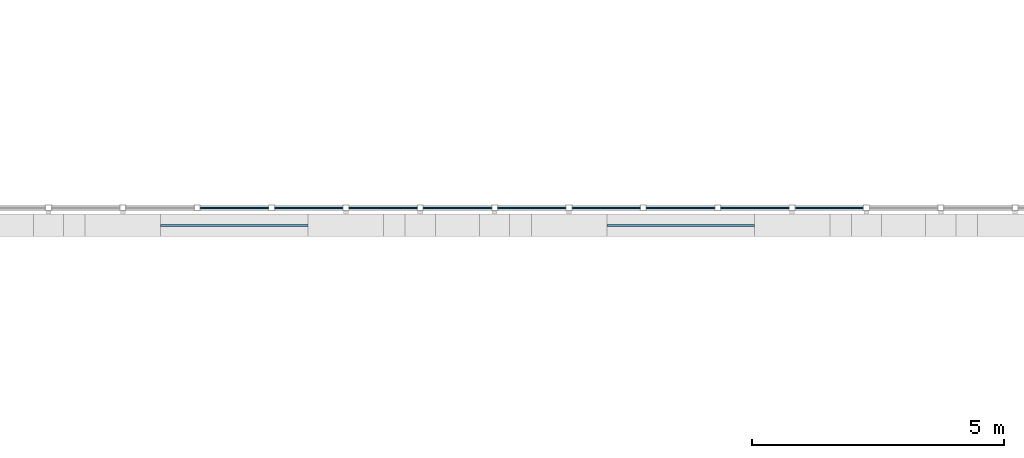
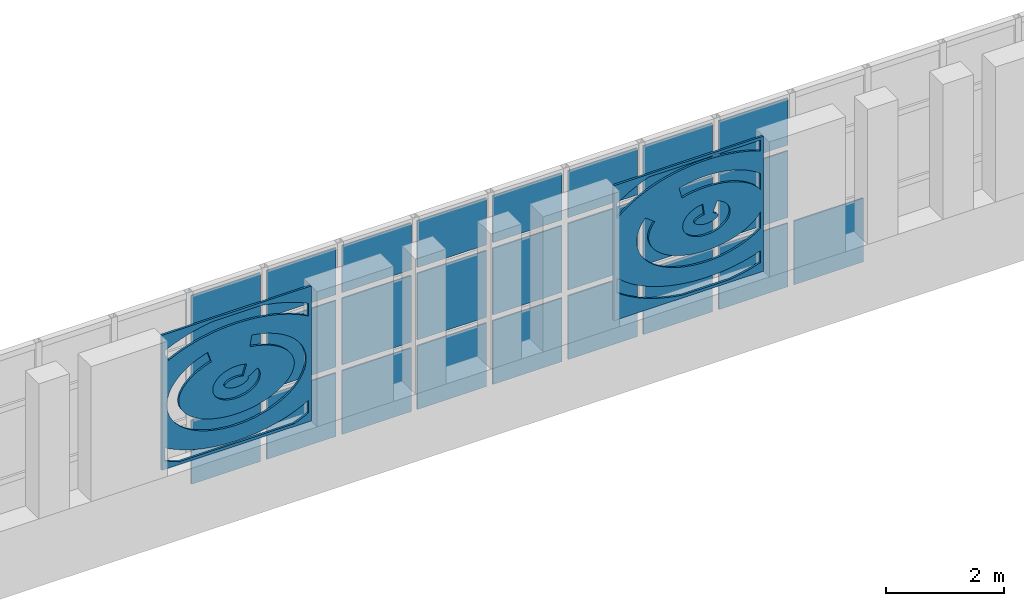
# One storey, part 88 of 154: 27 plates, 1 element without a shape of its own.
"""IFC4 building model written with IfcOpenShell, lengths in metres."""

import ifcopenshell
import ifcopenshell.guid

model = None  # the IFC model being written
_history = None  # IfcOwnerHistory: only IFC2X3 demands one
_inside = {}  # id of a spatial element -> (the spatial element, [elements in it])
_under = {}  # id of a project, library or spatial element -> (it, [spatial elements below it])
_declared = {}  # id of a project -> (the project, [libraries it declares])
_typed = {}  # id of a type object -> (the type object, [elements of that type])
_made_of = {}  # id of a material, layer set ... -> (it, [elements and type objects made of it])


def new_model(schema):
    """Start an empty IFC model of exactly this schema.

    Asked for "IFC4X3", IfcOpenShell would pick the latest addendum, in which some entities
    have other attributes; the version numbers below select the first issue.
    IFC2X3 requires an IfcOwnerHistory on every rooted entity: one is made here for all.
    """
    global model, _history
    if schema == "IFC4X3":
        model = ifcopenshell.file(schema_version=(4, 3, 0, 0))
    else:
        model = ifcopenshell.file(schema=schema)
    _inside.clear()
    _under.clear()
    _declared.clear()
    _typed.clear()
    _made_of.clear()
    _history = None
    if model.schema == "IFC2X3":
        org = make("IfcOrganization", Name="unknown")
        user = make(
            "IfcPersonAndOrganization",
            ThePerson=make("IfcPerson", FamilyName="unknown"),
            TheOrganization=org,
        )
        app = make(
            "IfcApplication",
            ApplicationDeveloper=org,
            Version="unknown",
            ApplicationFullName="unknown",
            ApplicationIdentifier="unknown",
        )
        _history = make(
            "IfcOwnerHistory",
            OwningUser=user,
            OwningApplication=app,
            ChangeAction="ADDED",
            CreationDate=0,
        )
    return model


def make(cls, **values):
    """One entity of the class cls with the attributes given. An attribute that is None is left unset."""
    return model.create_entity(
        cls, **{name: value for name, value in values.items() if value is not None}
    )


def rooted(cls, **values):
    """An entity with a GlobalId (a new one), such as an element, a storey or a relation."""
    return make(cls, GlobalId=ifcopenshell.guid.new(), OwnerHistory=_history, **values)


def si_unit(unit_type, name, prefix=None):
    """IfcSIUnit, for example si_unit("LENGTHUNIT", "METRE", prefix="MILLI")."""
    return make("IfcSIUnit", UnitType=unit_type, Prefix=prefix, Name=name)


def assignment(units):
    """IfcUnitAssignment: the units of a project."""
    return None if units is None else make("IfcUnitAssignment", Units=units)


def point(xyz):
    """IfcCartesianPoint."""
    return None if xyz is None else make("IfcCartesianPoint", Coordinates=xyz)


def direction(xyz):
    """IfcDirection."""
    return None if xyz is None else make("IfcDirection", DirectionRatios=xyz)


def frame(location, z_axis=None, x_axis=None):
    """IfcAxis2Placement3D, a coordinate frame: its origin and axes. An axis left out is left unset."""
    return make(
        "IfcAxis2Placement3D",
        Location=point(location),
        Axis=direction(z_axis),
        RefDirection=direction(x_axis),
    )


def frame_2d(location, x_axis=None):
    """IfcAxis2Placement2D, a coordinate frame in the plane: its origin and x axis."""
    return make(
        "IfcAxis2Placement2D", Location=point(location), RefDirection=direction(x_axis)
    )


def origin():
    """The frame at (0, 0, 0) with its axes left unset."""
    return frame((0.0, 0.0, 0.0))


def origin_2d():
    """The frame at (0, 0) in the plane with its x axis left unset."""
    return frame_2d((0.0, 0.0))


def place(relative_to, where):
    """IfcLocalPlacement: puts the frame where relative to a parent placement (None: the world)."""
    return make(
        "IfcLocalPlacement", PlacementRelTo=relative_to, RelativePlacement=where
    )


def context(
    kind, dimensions, precision=None, world=None, true_north=None, identifier=None
):
    """IfcGeometricRepresentationContext, for example the 3D "Model" context."""
    return make(
        "IfcGeometricRepresentationContext",
        ContextIdentifier=identifier,
        ContextType=kind,
        CoordinateSpaceDimension=dimensions,
        Precision=precision,
        WorldCoordinateSystem=world,
        TrueNorth=true_north,
    )


def subcontext(parent, identifier, kind, view, scale=None):
    """IfcGeometricRepresentationSubContext, for example "Body" below "Model"."""
    return make(
        "IfcGeometricRepresentationSubContext",
        ContextIdentifier=identifier,
        ContextType=kind,
        ParentContext=parent,
        TargetScale=scale,
        TargetView=view,
    )


def project(units=None, contexts=None):
    """IfcProject with its units and contexts."""
    return rooted(
        "IfcProject",
        Name="project",
        RepresentationContexts=contexts,
        UnitsInContext=assignment(units),
    )


def spatial(cls, under=None, at=None, **own):
    """A site, building, storey or space (cls), placed at a placement, below another one or the project."""
    s = rooted(cls, ObjectPlacement=at, **own)
    if under is not None:
        _under.setdefault(under.id(), (under, []))[1].append(s)
    return s


def polyline(points):
    """IfcPolyline through the points."""
    return make("IfcPolyline", Points=[point(p) for p in points])


def profile(cls, at=None, kind="AREA", **sizes):
    """A parametric profile (cls). Its sizes go by their IFC names, for example OverallWidth=200.0."""
    return make(cls, ProfileType=kind, Position=at, **sizes)


def rectangle(**sizes):
    """IfcRectangleProfileDef."""
    return profile("IfcRectangleProfileDef", **sizes)


def outline(outer, holes=None, kind="AREA"):
    """IfcArbitraryClosedProfileDef: a profile drawn as a closed curve; with holes, ...WithVoids."""
    if holes is None:
        return make("IfcArbitraryClosedProfileDef", ProfileType=kind, OuterCurve=outer)
    return make(
        "IfcArbitraryProfileDefWithVoids",
        ProfileType=kind,
        OuterCurve=outer,
        InnerCurves=holes,
    )


def extrude(swept, where, along, depth):
    """IfcExtrudedAreaSolid: the profile swept, set in the frame where, extruded along a direction by depth."""
    return make(
        "IfcExtrudedAreaSolid",
        SweptArea=swept,
        Position=where,
        ExtrudedDirection=direction(along),
        Depth=depth,
    )


def shape(context_of_items, identifier, shape_type, items):
    """IfcShapeRepresentation: the items that make up one representation, for example the "Body"."""
    return make(
        "IfcShapeRepresentation",
        ContextOfItems=context_of_items,
        RepresentationIdentifier=identifier,
        RepresentationType=shape_type,
        Items=items,
    )


def material(Name=None, Category=None):
    """IfcMaterial."""
    return make("IfcMaterial", Name=Name, Category=Category)


def layer(
    of_material, thickness, ventilated=None, Name=None, Category=None, Priority=None
):
    """IfcMaterialLayer: one layer of a wall or slab, of a material (None: an air gap)."""
    return make(
        "IfcMaterialLayer",
        Material=of_material,
        LayerThickness=thickness,
        IsVentilated=ventilated,
        Name=Name,
        Category=Category,
        Priority=Priority,
    )


def layer_set(layers, Name=None):
    """IfcMaterialLayerSet."""
    return make("IfcMaterialLayerSet", MaterialLayers=layers, LayerSetName=Name)


def made_of(thing, what):
    """Note that an element or type object is made of a material, layer set ...; save() writes the relation."""
    if what is not None:
        _made_of.setdefault(what.id(), (what, []))[1].append(thing)
    return thing


def type_object(cls, material=None, **own):
    """A type object (cls), such as IfcWallType, which elements share."""
    return made_of(rooted(cls, **own), material)


def element(
    cls,
    number,
    at=None,
    inside=None,
    cuts=None,
    type_object=None,
    material=None,
    context=None,
    identifier="Body",
    shape_type=None,
    held_by="IfcProductDefinitionShape",
    body=None,
    shapes=None,
    **own,
):
    """One element of the class cls, such as IfcWall. Its Tag is "e" and its number.

    at: its placement. inside: the storey or other place that contains it. cuts: it is an
    opening in that element (IfcRelVoidsElement). A single representation is given by context,
    identifier, shape_type and body (its items); several are given by shapes. held_by: the class
    of the entity that holds the representations. save() writes the other relations.
    """
    e = rooted(cls, Tag="e%d" % number, ObjectPlacement=at, **own)
    if body is not None:
        shapes = [shape(context, identifier, shape_type, body)]
    if shapes is not None:
        e.Representation = make(held_by, Representations=shapes)
    if inside is not None:
        _inside.setdefault(inside.id(), (inside, []))[1].append(e)
    if cuts is not None:
        rooted(
            "IfcRelVoidsElement", RelatingBuildingElement=cuts, RelatedOpeningElement=e
        )
    if type_object is not None:
        _typed.setdefault(type_object.id(), (type_object, []))[1].append(e)
    return made_of(e, material)


def aggregate(whole, parts):
    """IfcRelAggregates: a whole, such as a stair, and the parts it consists of."""
    return rooted("IfcRelAggregates", RelatingObject=whole, RelatedObjects=parts)


def save(model, path):
    """Write the relations noted so far, then the file.

    IfcRelAggregates (storeys below a building ...), IfcRelContainedInSpatialStructure (elements
    in a storey), IfcRelDefinesByType, IfcRelAssociatesMaterial and IfcRelDeclares: one each for
    every whole, place, type object, material and project.
    """
    for whole, parts in _under.values():
        aggregate(whole, parts)
    for where, things in _inside.values():
        rooted(
            "IfcRelContainedInSpatialStructure",
            RelatedElements=things,
            RelatingStructure=where,
        )
    for kind, things in _typed.values():
        rooted("IfcRelDefinesByType", RelatedObjects=things, RelatingType=kind)
    for what, things in _made_of.values():
        rooted("IfcRelAssociatesMaterial", RelatedObjects=things, RelatingMaterial=what)
    for by, libraries in _declared.values():
        rooted("IfcRelDeclares", RelatingContext=by, RelatedDefinitions=libraries)
    model.write(path)


model = new_model("IFC4")

# Units and contexts
model_context = context("Model", 3, precision=1e-05, world=origin(), true_north=direction((0.0, 1.0)))
body_context = subcontext(model_context, "Body", "Model", "MODEL_VIEW")
ifc_project = project(units=[si_unit("LENGTHUNIT", "METRE"), si_unit("AREAUNIT", "SQUARE_METRE"), si_unit("VOLUMEUNIT", "CUBIC_METRE"), si_unit("PLANEANGLEUNIT", "RADIAN"), si_unit("MASSUNIT", "GRAM", prefix="KILO")], contexts=[model_context])

# Site, building, storey
site_placement = place(None, origin())
site = spatial("IfcSite", under=ifc_project, at=site_placement, CompositionType="ELEMENT")
building_placement = place(site_placement, origin())
building = spatial("IfcBuilding", under=site, at=building_placement, Name="Golden Quay Civic Hall", CompositionType="ELEMENT")
storey_placement = place(building_placement, frame((0.0, 0.0, 14.39990234375)))
storey = spatial("IfcBuildingStorey", under=building, at=storey_placement, Name="L03", CompositionType="ELEMENT", Elevation=14.39990234375)

# Curtain wall, plates
ifc_material_1 = material(Name="Glass and aluminium", Category="aluminium")
curtain_wall_type = type_object("IfcCurtainWallType", Name="Glazed curtain wall 1500 module", PredefinedType="NOTDEFINED", material=ifc_material_1)
curtain_wall_placement = place(storey_placement, origin())
curtain_wall = element("IfcCurtainWall", 1, at=curtain_wall_placement, inside=storey, type_object=curtain_wall_type, Name="CW1 curtain wall", PredefinedType="NOTDEFINED")
ifc_material_2 = material(Name="Laminated glass", Category="glass")
ifc_layer_1 = layer(ifc_material_2, 0.028076171875)
ifc_layer_set_1 = layer_set([ifc_layer_1], Name="Laminated glass panel 28")
plate_type_1 = type_object("IfcPlateType", Name="Laminated glass panel 28", PredefinedType="CURTAIN_PANEL", material=ifc_layer_set_1)
plate_1_placement = place(storey_placement, frame((78.85009765625, 0.27001953125, -0.080078125), z_axis=(0.0, 0.0, 1.0), x_axis=(1.0, 0.0, 0.0)))
plate_1 = element("IfcPlate", 2, at=plate_1_placement, type_object=plate_type_1, Name="CW1 panel 5.1", PredefinedType="CURTAIN_PANEL", context=body_context, shape_type="SweptSolid", body=[
    extrude(rectangle(XDim=1.357666015625, YDim=0.028076171875, at=origin_2d()), origin(), (0.0, 0.0, 1.0), 1.320068359375),
])
plate_2_placement = place(storey_placement, frame((78.85009765625, 0.27001953125, 1.360107421875), z_axis=(0.0, 0.0, 1.0), x_axis=(1.0, 0.0, 0.0)))
plate_2 = element("IfcPlate", 3, at=plate_2_placement, type_object=plate_type_1, Name="CW1 panel 5.2", PredefinedType="CURTAIN_PANEL", context=body_context, shape_type="SweptSolid", body=[
    extrude(rectangle(XDim=1.357666015625, YDim=0.028076171875, at=origin_2d()), origin(), (0.0, 0.0, 1.0), 1.3798828125),
])
plate_3_placement = place(storey_placement, frame((78.85009765625, 0.27001953125, 2.8603515625), z_axis=(0.0, 0.0, 1.0), x_axis=(1.0, 0.0, 0.0)))
plate_3 = element("IfcPlate", 4, at=plate_3_placement, type_object=plate_type_1, Name="CW1 panel 5.3", PredefinedType="CURTAIN_PANEL", context=body_context, shape_type="SweptSolid", body=[
    extrude(rectangle(XDim=1.357666015625, YDim=0.028076171875, at=origin_2d()), origin(), (0.0, 0.0, 1.0), 0.969970703125),
])
plate_4_placement = place(storey_placement, frame((80.327880859375, 0.27001953125, -0.080078125), z_axis=(0.0, 0.0, 1.0), x_axis=(1.0, 0.0, 0.0)))
plate_4 = element("IfcPlate", 5, at=plate_4_placement, type_object=plate_type_1, Name="CW1 panel 6.1", PredefinedType="CURTAIN_PANEL", context=body_context, shape_type="SweptSolid", body=[
    extrude(rectangle(XDim=1.357666015625, YDim=0.028076171875, at=origin_2d()), origin(), (0.0, 0.0, 1.0), 1.320068359375),
])
plate_5_placement = place(storey_placement, frame((80.327880859375, 0.27001953125, 1.360107421875), z_axis=(0.0, 0.0, 1.0), x_axis=(1.0, 0.0, 0.0)))
plate_5 = element("IfcPlate", 6, at=plate_5_placement, type_object=plate_type_1, Name="CW1 panel 6.2", PredefinedType="CURTAIN_PANEL", context=body_context, shape_type="SweptSolid", body=[
    extrude(rectangle(XDim=1.357666015625, YDim=0.028076171875, at=origin_2d()), origin(), (0.0, 0.0, 1.0), 1.3798828125),
])
plate_6_placement = place(storey_placement, frame((80.327880859375, 0.27001953125, 2.8603515625), z_axis=(0.0, 0.0, 1.0), x_axis=(1.0, 0.0, 0.0)))
plate_6 = element("IfcPlate", 7, at=plate_6_placement, type_object=plate_type_1, Name="CW1 panel 6.3", PredefinedType="CURTAIN_PANEL", context=body_context, shape_type="SweptSolid", body=[
    extrude(rectangle(XDim=1.357666015625, YDim=0.028076171875, at=origin_2d()), origin(), (0.0, 0.0, 1.0), 0.969970703125),
])
plate_7_placement = place(storey_placement, frame((81.8056640625, 0.27001953125, -0.080078125), z_axis=(0.0, 0.0, 1.0), x_axis=(1.0, 0.0, 0.0)))
plate_7 = element("IfcPlate", 8, at=plate_7_placement, type_object=plate_type_1, Name="CW1 panel 7.1", PredefinedType="CURTAIN_PANEL", context=body_context, shape_type="SweptSolid", body=[
    extrude(rectangle(XDim=1.357666015625, YDim=0.028076171875, at=origin_2d()), origin(), (0.0, 0.0, 1.0), 1.320068359375),
])
plate_8_placement = place(storey_placement, frame((81.8056640625, 0.27001953125, 1.360107421875), z_axis=(0.0, 0.0, 1.0), x_axis=(1.0, 0.0, 0.0)))
plate_8 = element("IfcPlate", 9, at=plate_8_placement, type_object=plate_type_1, Name="CW1 panel 7.2", PredefinedType="CURTAIN_PANEL", context=body_context, shape_type="SweptSolid", body=[
    extrude(rectangle(XDim=1.357666015625, YDim=0.028076171875, at=origin_2d()), origin(), (0.0, 0.0, 1.0), 1.3798828125),
])
plate_9_placement = place(storey_placement, frame((81.8056640625, 0.27001953125, 2.8603515625), z_axis=(0.0, 0.0, 1.0), x_axis=(1.0, 0.0, 0.0)))
plate_9 = element("IfcPlate", 10, at=plate_9_placement, type_object=plate_type_1, Name="CW1 panel 7.3", PredefinedType="CURTAIN_PANEL", context=body_context, shape_type="SweptSolid", body=[
    extrude(rectangle(XDim=1.357666015625, YDim=0.028076171875, at=origin_2d()), origin(), (0.0, 0.0, 1.0), 0.969970703125),
])
plate_10_placement = place(storey_placement, frame((83.283447265625, 0.27001953125, -0.080078125), z_axis=(0.0, 0.0, 1.0), x_axis=(1.0, 0.0, 0.0)))
plate_10 = element("IfcPlate", 11, at=plate_10_placement, type_object=plate_type_1, Name="CW1 panel 8.1", PredefinedType="CURTAIN_PANEL", context=body_context, shape_type="SweptSolid", body=[
    extrude(rectangle(XDim=1.357666015625, YDim=0.028076171875, at=origin_2d()), origin(), (0.0, 0.0, 1.0), 1.320068359375),
])
plate_11_placement = place(storey_placement, frame((83.283447265625, 0.27001953125, 1.360107421875), z_axis=(0.0, 0.0, 1.0), x_axis=(1.0, 0.0, 0.0)))
plate_11 = element("IfcPlate", 12, at=plate_11_placement, type_object=plate_type_1, Name="CW1 panel 8.2", PredefinedType="CURTAIN_PANEL", context=body_context, shape_type="SweptSolid", body=[
    extrude(rectangle(XDim=1.357666015625, YDim=0.028076171875, at=origin_2d()), origin(), (0.0, 0.0, 1.0), 1.3798828125),
])
plate_12_placement = place(storey_placement, frame((83.283447265625, 0.27001953125, 2.8603515625), z_axis=(0.0, 0.0, 1.0), x_axis=(1.0, 0.0, 0.0)))
plate_12 = element("IfcPlate", 13, at=plate_12_placement, type_object=plate_type_1, Name="CW1 panel 8.3", PredefinedType="CURTAIN_PANEL", context=body_context, shape_type="SweptSolid", body=[
    extrude(rectangle(XDim=1.357666015625, YDim=0.028076171875, at=origin_2d()), origin(), (0.0, 0.0, 1.0), 0.969970703125),
])
plate_13_placement = place(storey_placement, frame((84.76123046875, 0.27001953125, -0.080078125), z_axis=(0.0, 0.0, 1.0), x_axis=(1.0, 0.0, 0.0)))
plate_13 = element("IfcPlate", 14, at=plate_13_placement, type_object=plate_type_1, Name="CW1 panel 9.1", PredefinedType="CURTAIN_PANEL", context=body_context, shape_type="SweptSolid", body=[
    extrude(rectangle(XDim=1.357666015625, YDim=0.028076171875, at=origin_2d()), origin(), (0.0, 0.0, 1.0), 1.320068359375),
])
plate_14_placement = place(storey_placement, frame((84.76123046875, 0.27001953125, 1.360107421875), z_axis=(0.0, 0.0, 1.0), x_axis=(1.0, 0.0, 0.0)))
plate_14 = element("IfcPlate", 15, at=plate_14_placement, type_object=plate_type_1, Name="CW1 panel 9.2", PredefinedType="CURTAIN_PANEL", context=body_context, shape_type="SweptSolid", body=[
    extrude(rectangle(XDim=1.357666015625, YDim=0.028076171875, at=origin_2d()), origin(), (0.0, 0.0, 1.0), 1.3798828125),
])
plate_15_placement = place(storey_placement, frame((84.76123046875, 0.27001953125, 2.8603515625), z_axis=(0.0, 0.0, 1.0), x_axis=(1.0, 0.0, 0.0)))
plate_15 = element("IfcPlate", 16, at=plate_15_placement, type_object=plate_type_1, Name="CW1 panel 9.3", PredefinedType="CURTAIN_PANEL", context=body_context, shape_type="SweptSolid", body=[
    extrude(rectangle(XDim=1.357666015625, YDim=0.028076171875, at=origin_2d()), origin(), (0.0, 0.0, 1.0), 0.969970703125),
])
plate_16_placement = place(storey_placement, frame((86.23876953125, 0.27001953125, -0.080078125), z_axis=(0.0, 0.0, 1.0), x_axis=(1.0, 0.0, 0.0)))
plate_16 = element("IfcPlate", 17, at=plate_16_placement, type_object=plate_type_1, Name="CW1 panel 10.1", PredefinedType="CURTAIN_PANEL", context=body_context, shape_type="SweptSolid", body=[
    extrude(rectangle(XDim=1.357666015625, YDim=0.028076171875, at=origin_2d()), origin(), (0.0, 0.0, 1.0), 1.320068359375),
])
plate_17_placement = place(storey_placement, frame((86.23876953125, 0.27001953125, 1.360107421875), z_axis=(0.0, 0.0, 1.0), x_axis=(1.0, 0.0, 0.0)))
plate_17 = element("IfcPlate", 18, at=plate_17_placement, type_object=plate_type_1, Name="CW1 panel 10.2", PredefinedType="CURTAIN_PANEL", context=body_context, shape_type="SweptSolid", body=[
    extrude(rectangle(XDim=1.357666015625, YDim=0.028076171875, at=origin_2d()), origin(), (0.0, 0.0, 1.0), 1.3798828125),
])
plate_18_placement = place(storey_placement, frame((86.23876953125, 0.27001953125, 2.8603515625), z_axis=(0.0, 0.0, 1.0), x_axis=(1.0, 0.0, 0.0)))
plate_18 = element("IfcPlate", 19, at=plate_18_placement, type_object=plate_type_1, Name="CW1 panel 10.3", PredefinedType="CURTAIN_PANEL", context=body_context, shape_type="SweptSolid", body=[
    extrude(rectangle(XDim=1.357666015625, YDim=0.028076171875, at=origin_2d()), origin(), (0.0, 0.0, 1.0), 0.969970703125),
])
plate_19_placement = place(storey_placement, frame((87.716552734375, 0.27001953125, -0.080078125), z_axis=(0.0, 0.0, 1.0), x_axis=(1.0, 0.0, 0.0)))
plate_19 = element("IfcPlate", 20, at=plate_19_placement, type_object=plate_type_1, Name="CW1 panel 11.1", PredefinedType="CURTAIN_PANEL", context=body_context, shape_type="SweptSolid", body=[
    extrude(rectangle(XDim=1.357666015625, YDim=0.028076171875, at=origin_2d()), origin(), (0.0, 0.0, 1.0), 1.320068359375),
])
plate_20_placement = place(storey_placement, frame((87.716552734375, 0.27001953125, 1.360107421875), z_axis=(0.0, 0.0, 1.0), x_axis=(1.0, 0.0, 0.0)))
plate_20 = element("IfcPlate", 21, at=plate_20_placement, type_object=plate_type_1, Name="CW1 panel 11.2", PredefinedType="CURTAIN_PANEL", context=body_context, shape_type="SweptSolid", body=[
    extrude(rectangle(XDim=1.357666015625, YDim=0.028076171875, at=origin_2d()), origin(), (0.0, 0.0, 1.0), 1.3798828125),
])
plate_21_placement = place(storey_placement, frame((87.716552734375, 0.27001953125, 2.8603515625), z_axis=(0.0, 0.0, 1.0), x_axis=(1.0, 0.0, 0.0)))
plate_21 = element("IfcPlate", 22, at=plate_21_placement, type_object=plate_type_1, Name="CW1 panel 11.3", PredefinedType="CURTAIN_PANEL", context=body_context, shape_type="SweptSolid", body=[
    extrude(rectangle(XDim=1.357666015625, YDim=0.028076171875, at=origin_2d()), origin(), (0.0, 0.0, 1.0), 0.969970703125),
])
plate_22_placement = place(storey_placement, frame((89.1943359375, 0.27001953125, -0.080078125), z_axis=(0.0, 0.0, 1.0), x_axis=(1.0, 0.0, 0.0)))
plate_22 = element("IfcPlate", 23, at=plate_22_placement, type_object=plate_type_1, Name="CW1 panel 12.1", PredefinedType="CURTAIN_PANEL", context=body_context, shape_type="SweptSolid", body=[
    extrude(rectangle(XDim=1.357666015625, YDim=0.028076171875, at=origin_2d()), origin(), (0.0, 0.0, 1.0), 1.320068359375),
])
plate_23_placement = place(storey_placement, frame((89.1943359375, 0.27001953125, 1.360107421875), z_axis=(0.0, 0.0, 1.0), x_axis=(1.0, 0.0, 0.0)))
plate_23 = element("IfcPlate", 24, at=plate_23_placement, type_object=plate_type_1, Name="CW1 panel 12.2", PredefinedType="CURTAIN_PANEL", context=body_context, shape_type="SweptSolid", body=[
    extrude(rectangle(XDim=1.357666015625, YDim=0.028076171875, at=origin_2d()), origin(), (0.0, 0.0, 1.0), 1.3798828125),
])
plate_24_placement = place(storey_placement, frame((89.1943359375, 0.27001953125, 2.8603515625), z_axis=(0.0, 0.0, 1.0), x_axis=(1.0, 0.0, 0.0)))
plate_24 = element("IfcPlate", 25, at=plate_24_placement, type_object=plate_type_1, Name="CW1 panel 12.3", PredefinedType="CURTAIN_PANEL", context=body_context, shape_type="SweptSolid", body=[
    extrude(rectangle(XDim=1.357666015625, YDim=0.028076171875, at=origin_2d()), origin(), (0.0, 0.0, 1.0), 0.969970703125),
])
plate_25_placement = place(storey_placement, frame((90.672119140625, 0.27001953125, -0.080078125), z_axis=(0.0, 0.0, 1.0), x_axis=(1.0, 0.0, 0.0)))
plate_25 = element("IfcPlate", 26, at=plate_25_placement, type_object=plate_type_1, Name="CW1 panel 13.1", PredefinedType="CURTAIN_PANEL", context=body_context, shape_type="SweptSolid", body=[
    extrude(rectangle(XDim=1.357666015625, YDim=0.028076171875, at=origin_2d()), origin(), (0.0, 0.0, 1.0), 1.320068359375),
])
aggregate(curtain_wall, [plate_1, plate_2, plate_3, plate_4, plate_5, plate_6, plate_7, plate_8, plate_9, plate_10, plate_11, plate_12, plate_13, plate_14, plate_15, plate_16, plate_17, plate_18, plate_19, plate_20, plate_21, plate_22, plate_23, plate_24, plate_25])

# Plates
ifc_material_3 = material(Name="Aluminium, golden anodised, perforated", Category="aluminium")
ifc_layer_2 = layer(ifc_material_3, 0.0400390625)
ifc_layer_set_2 = layer_set([ifc_layer_2], Name="Perforated panel 2933 x 2800 x 40")
plate_type_2 = type_object("IfcPlateType", Name="Perforated panel 2933 x 2800 x 40", PredefinedType="SHEET", material=ifc_layer_set_2)
plate_26_placement = place(storey_placement, frame((87.716552734375, -0.06005859375, 2.10009765625), z_axis=(0.0, -1.0, 0.0), x_axis=(1.0, 0.0, 0.0)))
element("IfcPlate", 27, at=plate_26_placement, inside=storey, type_object=plate_type_2, Name="Hall screen panel south L03 4", PredefinedType="SHEET", context=body_context, shape_type="SweptSolid", body=[
    extrude(outline(polyline([(-1.466552734375, -1.39990234375), (1.466552734375, -1.39990234375), (1.466552734375, 1.39990234375), (-1.466552734375, 1.39990234375), (-1.466552734375, -1.39990234375)]), holes=[polyline([(0.257080078125, 0.170654296875), (0.192626953125, 0.149658203125), (0.15966796875, 0.1318359375), (0.136474609375, 0.113525390625), (0.123291015625, 0.09765625), (0.11669921875, 0.080322265625), (0.122314453125, 0.0634765625), (0.135009765625, 0.048095703125), (0.172119140625, 0.020751953125), (0.208740234375, 0.003662109375), (0.27685546875, -0.014404296875), (0.32763671875, -0.02001953125), (0.37939453125, -0.01953125), (0.45361328125, -0.008056640625), (0.496826171875, 0.005859375), (0.54638671875, 0.032470703125), (0.5673828125, 0.05029296875), (0.57861328125, 0.065185546875), (0.583251953125, 0.078125), (0.57958984375, 0.093017578125), (0.560791015625, 0.115966796875), (0.536376953125, 0.134521484375), (0.47802734375, 0.1611328125), (0.561279296875, 0.37841796875), (0.631103515625, 0.34814453125), (0.685546875, 0.314208984375), (0.739501953125, 0.266357421875), (0.7705078125, 0.22705078125), (0.7978515625, 0.1748046875), (0.8125, 0.122802734375), (0.815673828125, 0.064697265625), (0.806396484375, 0.0107421875), (0.7939453125, -0.02392578125), (0.777099609375, -0.056396484375), (0.756591796875, -0.086181640625), (0.73291015625, -0.11328125), (0.70654296875, -0.1376953125), (0.655029296875, -0.174560546875), (0.579833984375, -0.21142578125), (0.544189453125, -0.22412109375), (0.476318359375, -0.2412109375), (0.3916015625, -0.251953125), (0.3193359375, -0.252685546875), (0.273193359375, -0.248779296875), (0.203125, -0.237060546875), (0.165771484375, -0.227294921875), (0.09521484375, -0.200927734375), (0.030517578125, -0.165283203125), (-0.02587890625, -0.1201171875), (-0.05859375, -0.08349609375), (-0.08984375, -0.033203125), (-0.108154296875, 0.01708984375), (-0.1162109375, 0.07470703125), (-0.111083984375, 0.129638671875), (-0.093505859375, 0.185302734375), (-0.068115234375, 0.23046875), (-0.02978515625, 0.276611328125), (0.02783203125, 0.323486328125), (0.068115234375, 0.34765625), (0.136474609375, 0.377685546875), (0.202880859375, 0.39697265625), (0.280517578125, 0.40966796875), (0.31005859375, 0.178955078125), (0.257080078125, 0.170654296875)]), polyline([(-0.728271484375, 0.27880859375), (-0.75048828125, 0.23388671875), (-0.76708984375, 0.18896484375), (-0.77783203125, 0.14404296875), (-0.782958984375, 0.099365234375), (-0.78271484375, 0.0546875), (-0.776611328125, 0.010009765625), (-0.765380859375, -0.034912109375), (-0.748046875, -0.079833984375), (-0.724853515625, -0.124755859375), (-0.69580078125, -0.169677734375), (-0.66015625, -0.2138671875), (-0.61865234375, -0.257080078125), (-0.571044921875, -0.299072265625), (-0.517578125, -0.33935546875), (-0.458740234375, -0.37744140625), (-0.394775390625, -0.4130859375), (-0.325927734375, -0.44580078125), (-0.252685546875, -0.475341796875), (-0.175537109375, -0.501708984375), (-0.09521484375, -0.5244140625), (-0.01171875, -0.543212890625), (0.073974609375, -0.558349609375), (0.16162109375, -0.569091796875), (0.25, -0.575927734375), (0.33935546875, -0.57861328125), (0.4287109375, -0.576904296875), (0.517578125, -0.5712890625), (0.60546875, -0.561279296875), (0.691650390625, -0.547119140625), (0.775634765625, -0.529296875), (0.856689453125, -0.50732421875), (0.934814453125, -0.48193359375), (1.009033203125, -0.453125), (1.078857421875, -0.4208984375), (1.144287109375, -0.385986328125), (1.204345703125, -0.348388671875), (1.259033203125, -0.308837890625), (1.30810546875, -0.26708984375), (1.35107421875, -0.22412109375), (1.406494140625, -0.15283203125), (1.406494140625, -0.48876953125), (1.337890625, -0.539306640625), (1.26416015625, -0.58544921875), (1.185546875, -0.627685546875), (1.0966796875, -0.668701171875), (1.010009765625, -0.7021484375), (0.920166015625, -0.731201171875), (0.8330078125, -0.754638671875), (0.73193359375, -0.7763671875), (0.634521484375, -0.7919921875), (0.53564453125, -0.80322265625), (0.435791015625, -0.8095703125), (0.3408203125, -0.811279296875), (0.240478515625, -0.80859375), (0.135498046875, -0.80029296875), (0.042236328125, -0.788818359375), (-0.0546875, -0.77197265625), (-0.1494140625, -0.750732421875), (-0.24169921875, -0.724853515625), (-0.330810546875, -0.694580078125), (-0.422607421875, -0.657470703125), (-0.498046875, -0.62158203125), (-0.5751953125, -0.5791015625), (-0.654541015625, -0.527587890625), (-0.7216796875, -0.4765625), (-0.7763671875, -0.428466796875), (-0.831787109375, -0.37109375), (-0.880859375, -0.310546875), (-0.92919921875, -0.236572265625), (-0.963134765625, -0.168701171875), (-0.985107421875, -0.111572265625), (-1.00390625, -0.040771484375), (-1.01416015625, 0.03173828125), (-1.015625, 0.104736328125), (-1.00830078125, 0.177490234375), (-0.991943359375, 0.24951171875), (-0.9619140625, 0.33154296875), (-0.927978515625, 0.3984375), (-0.88671875, 0.46240234375), (-0.845458984375, 0.515380859375), (-0.662109375, 0.372314453125), (-0.69970703125, 0.32373046875), (-0.728271484375, 0.27880859375)]), polyline([(1.373779296875, 0.357666015625), (1.334716796875, 0.4013671875), (1.289306640625, 0.44384765625), (1.238037109375, 0.48486328125), (1.18115234375, 0.523681640625), (1.118896484375, 0.560302734375), (1.0517578125, 0.593994140625), (0.97998046875, 0.625), (0.904296875, 0.652587890625), (0.824951171875, 0.676513671875), (0.742431640625, 0.69677734375), (0.65771484375, 0.713134765625), (0.57080078125, 0.7255859375), (0.482421875, 0.73388671875), (0.393310546875, 0.738037109375), (0.303955078125, 0.738037109375), (0.21484375, 0.73388671875), (0.12646484375, 0.725341796875), (0.039794921875, 0.712890625), (-0.045166015625, 0.6962890625), (-0.13037109375, 0.675048828125), (-0.1865234375, 0.90087890625), (-0.092529296875, 0.924072265625), (-0.002197265625, 0.941650390625), (0.1015625, 0.956787109375), (0.200927734375, 0.966064453125), (0.29541015625, 0.970703125), (0.4013671875, 0.970703125), (0.49609375, 0.96630859375), (0.595458984375, 0.95703125), (0.698974609375, 0.9423828125), (0.78955078125, 0.9248046875), (0.883544921875, 0.901611328125), (0.980712890625, 0.872314453125), (1.0625, 0.842529296875), (1.146728515625, 0.806396484375), (1.226806640625, 0.766357421875), (1.30908203125, 0.718017578125), (1.406494140625, 0.64794921875), (1.406494140625, 0.31396484375), (1.373779296875, 0.357666015625)]), polyline([(-1.406494140625, -0.52734375), (-1.314208984375, -0.614501953125), (-1.23583984375, -0.67724609375), (-1.15087890625, -0.73681640625), (-1.05908203125, -0.79345703125), (-0.96142578125, -0.846435546875), (-0.85791015625, -0.89599609375), (-0.749267578125, -0.941162109375), (-0.635986328125, -0.982177734375), (-0.51806640625, -1.018798828125), (-0.396484375, -1.050537109375), (-0.271728515625, -1.07763671875), (-0.144287109375, -1.099609375), (-0.0146484375, -1.11669921875), (0.116455078125, -1.12841796875), (0.248779296875, -1.135009765625), (0.38134765625, -1.136474609375), (0.513916015625, -1.132568359375), (0.6455078125, -1.12353515625), (0.776123046875, -1.109130859375), (0.90478515625, -1.08984375), (1.031005859375, -1.0654296875), (1.154296875, -1.0361328125), (1.274169921875, -1.001953125), (1.406494140625, -0.956787109375), (1.406494140625, -1.203125), (1.215576171875, -1.260498046875), (1.08251953125, -1.29248046875), (0.94677734375, -1.31884765625), (0.80615234375, -1.340087890625), (-0.10107421875, -1.340087890625), (-0.181640625, -1.329345703125), (-0.31396484375, -1.306396484375), (-0.4482421875, -1.27734375), (-0.57958984375, -1.2431640625), (-0.71240234375, -1.201904296875), (-0.836181640625, -1.156982421875), (-0.95556640625, -1.107177734375), (-1.06982421875, -1.052490234375), (-1.1787109375, -0.9931640625), (-1.28173828125, -0.929443359375), (-1.37841796875, -0.861083984375), (-1.406494140625, -0.8388671875), (-1.406494140625, -0.52734375)]), polyline([(1.406494140625, 1.11669921875), (1.2412109375, 1.172119140625), (1.120361328125, 1.204833984375), (0.99609375, 1.232666015625), (0.869140625, 1.255859375), (0.73974609375, 1.273681640625), (0.60888671875, 1.28662109375), (0.476806640625, 1.294189453125), (0.34423828125, 1.296630859375), (0.211669921875, 1.293701171875), (0.07958984375, 1.28564453125), (-0.05126953125, 1.2724609375), (-0.18017578125, 1.25390625), (-0.306884765625, 1.23046875), (-0.430908203125, 1.2021484375), (-0.551513671875, 1.1689453125), (-0.66796875, 1.131103515625), (-0.7802734375, 1.0888671875), (-0.887451171875, 1.04248046875), (-0.989501953125, 0.9921875), (-1.08544921875, 0.93798828125), (-1.17529296875, 0.880615234375), (-1.258544921875, 0.820068359375), (-1.3349609375, 0.756591796875), (-1.406494140625, 0.688232421875), (-1.406494140625, 0.99951171875), (-1.3037109375, 1.07470703125), (-1.202392578125, 1.13916015625), (-1.100830078125, 1.1962890625), (-0.982666015625, 1.2548828125), (-0.8701171875, 1.3037109375), (-0.773681640625, 1.340087890625), (1.406494140625, 1.340087890625), (1.406494140625, 1.11669921875)])]), origin(), (0.0, 0.0, 1.0), 0.0400390625),
])
ifc_material_4 = material(Name="Aluminium, golden anodised, perforated", Category="aluminium")
ifc_layer_3 = layer(ifc_material_4, 0.0400390625)
ifc_layer_set_3 = layer_set([ifc_layer_3], Name="Perforated panel 2934 x 2800 x 40")
plate_type_3 = type_object("IfcPlateType", Name="Perforated panel 2934 x 2800 x 40", PredefinedType="SHEET", material=ifc_layer_set_3)
plate_27_placement = place(storey_placement, frame((78.85009765625, -0.06005859375, 2.10009765625), z_axis=(0.0, -1.0, 0.0), x_axis=(1.0, 0.0, 0.0)))
element("IfcPlate", 28, at=plate_27_placement, inside=storey, type_object=plate_type_3, Name="Hall screen panel south L03 2", PredefinedType="SHEET", context=body_context, shape_type="SweptSolid", body=[
    extrude(outline(polyline([(-1.467041015625, -1.39990234375), (1.467041015625, -1.39990234375), (1.467041015625, 1.39990234375), (-1.467041015625, 1.39990234375), (-1.467041015625, -1.39990234375)]), holes=[polyline([(0.081787109375, 0.012939453125), (0.031494140625, 0.01953125), (-0.020263671875, 0.02001953125), (-0.0712890625, 0.014892578125), (-0.118408203125, 0.00390625), (-0.1591796875, -0.01123046875), (-0.204345703125, -0.038330078125), (-0.227294921875, -0.06298828125), (-0.233154296875, -0.0771484375), (-0.232421875, -0.08642578125), (-0.214111328125, -0.11279296875), (-0.19140625, -0.131103515625), (-0.13916015625, -0.156982421875), (-0.0947265625, -0.170166015625), (-0.04541015625, -0.17822265625), (0.00634765625, -0.1806640625), (0.0576171875, -0.1767578125), (0.106201171875, -0.16748046875), (0.14892578125, -0.1533203125), (0.197998046875, -0.126708984375), (0.21826171875, -0.108642578125), (0.2314453125, -0.088623046875), (0.23291015625, -0.07568359375), (0.22119140625, -0.0537109375), (0.418212890625, 0.0703125), (0.4462890625, 0.0185546875), (0.4580078125, -0.0166015625), (0.46484375, -0.053466796875), (0.4658203125, -0.09130859375), (0.46142578125, -0.12890625), (0.445556640625, -0.180419921875), (0.42919921875, -0.213134765625), (0.39404296875, -0.26123046875), (0.359375, -0.29541015625), (0.308349609375, -0.33251953125), (0.267578125, -0.35498046875), (0.197998046875, -0.383056640625), (0.13037109375, -0.400390625), (0.052490234375, -0.411376953125), (-0.026611328125, -0.412841796875), (-0.07275390625, -0.409423828125), (-0.150146484375, -0.396240234375), (-0.216552734375, -0.376708984375), (-0.25927734375, -0.35888671875), (-0.316162109375, -0.327392578125), (-0.3544921875, -0.299560546875), (-0.39794921875, -0.2568359375), (-0.427490234375, -0.2158203125), (-0.452392578125, -0.16259765625), (-0.46435546875, -0.109619140625), (-0.464599609375, -0.051513671875), (-0.45263671875, 0.001708984375), (-0.4384765625, 0.03564453125), (-0.42041015625, 0.067138671875), (-0.38232421875, 0.11376953125), (-0.325439453125, 0.161376953125), (-0.260009765625, 0.198486328125), (-0.1884765625, 0.225830078125), (-0.105712890625, 0.2451171875), (-0.06689453125, 0.25), (0.005126953125, 0.25341796875), (0.0908203125, 0.247314453125), (0.16015625, 0.23388671875), (0.197021484375, 0.22314453125), (0.131591796875, 0.0), (0.081787109375, 0.012939453125)]), polyline([(-0.649169921875, 0.457275390625), (-0.719482421875, 0.425537109375), (-0.78564453125, 0.39111328125), (-0.846435546875, 0.353759765625), (-0.90185546875, 0.314208984375), (-0.95166015625, 0.27294921875), (-0.99560546875, 0.22998046875), (-1.033203125, 0.18603515625), (-1.064697265625, 0.1416015625), (-1.090087890625, 0.096435546875), (-1.109619140625, 0.051513671875), (-1.123046875, 0.006591796875), (-1.131103515625, -0.0380859375), (-1.13330078125, -0.082763671875), (-1.13037109375, -0.12744140625), (-1.12158203125, -0.172119140625), (-1.107421875, -0.217041015625), (-1.08740234375, -0.26220703125), (-1.06103515625, -0.30712890625), (-1.02880859375, -0.351806640625), (-0.990478515625, -0.3955078125), (-0.94580078125, -0.438232421875), (-0.895263671875, -0.479248046875), (-0.839111328125, -0.5185546875), (-0.777587890625, -0.555419921875), (-0.711181640625, -0.589599609375), (-0.639892578125, -0.620849609375), (-0.564697265625, -0.64892578125), (-0.48583984375, -0.67333984375), (-0.404052734375, -0.6943359375), (-0.3193359375, -0.711181640625), (-0.232666015625, -0.72412109375), (-0.14453125, -0.733154296875), (-0.055419921875, -0.73779296875), (0.033935546875, -0.73828125), (0.123046875, -0.734619140625), (0.21142578125, -0.726806640625), (0.298583984375, -0.71484375), (0.3837890625, -0.69873046875), (0.46630859375, -0.6787109375), (0.5458984375, -0.6552734375), (0.622314453125, -0.6279296875), (0.6943359375, -0.597412109375), (0.761962890625, -0.56396484375), (0.82470703125, -0.527587890625), (0.882080078125, -0.489013671875), (0.93408203125, -0.4482421875), (0.97998046875, -0.406005859375), (1.02001953125, -0.3623046875), (1.053955078125, -0.31787109375), (1.08154296875, -0.27294921875), (1.10302734375, -0.22802734375), (1.118896484375, -0.18310546875), (1.12890625, -0.13818359375), (1.13330078125, -0.093505859375), (1.132080078125, -0.049072265625), (1.12548828125, -0.00439453125), (1.11328125, 0.04052734375), (1.095458984375, 0.085693359375), (1.0712890625, 0.130615234375), (1.04150390625, 0.17529296875), (1.005126953125, 0.219482421875), (0.962890625, 0.2626953125), (0.91455078125, 0.304443359375), (0.8603515625, 0.344482421875), (0.80078125, 0.382080078125), (0.736083984375, 0.41748046875), (0.66650390625, 0.44970703125), (0.5927734375, 0.47900390625), (0.51513671875, 0.5048828125), (0.434326171875, 0.527099609375), (0.3505859375, 0.54541015625), (0.261962890625, 0.560302734375), (0.300537109375, 0.789794921875), (0.39208984375, 0.7744140625), (0.4873046875, 0.753662109375), (0.585693359375, 0.7265625), (0.66943359375, 0.69873046875), (0.755615234375, 0.664794921875), (0.837646484375, 0.626708984375), (0.922119140625, 0.580810546875), (0.995361328125, 0.5341796875), (1.056396484375, 0.489013671875), (1.11865234375, 0.435546875), (1.1748046875, 0.37890625), (1.2314453125, 0.309814453125), (1.274169921875, 0.2451171875), (1.3037109375, 0.189208984375), (1.33203125, 0.12060546875), (1.351806640625, 0.050048828125), (1.364501953125, -0.036376953125), (1.365478515625, -0.109375), (1.357421875, -0.181884765625), (1.3408203125, -0.25341796875), (1.32080078125, -0.310791015625), (1.282958984375, -0.389892578125), (1.242431640625, -0.454345703125), (1.201904296875, -0.507568359375), (1.141357421875, -0.57373046875), (1.081298828125, -0.62841796875), (1.0224609375, -0.6748046875), (0.944580078125, -0.727294921875), (0.86865234375, -0.770751953125), (0.79443359375, -0.8076171875), (0.70361328125, -0.845947265625), (0.615234375, -0.87744140625), (0.523681640625, -0.904296875), (0.4296875, -0.927001953125), (0.3388671875, -0.944091796875), (0.23486328125, -0.958251953125), (0.135498046875, -0.967041015625), (0.035400390625, -0.970947265625), (-0.0595703125, -0.970458984375), (-0.15966796875, -0.96533203125), (-0.264404296875, -0.954833984375), (-0.356689453125, -0.94091796875), (-0.45263671875, -0.921875), (-0.552001953125, -0.896484375), (-0.636962890625, -0.8701171875), (-0.724365234375, -0.837890625), (-0.80810546875, -0.80126953125), (-0.887451171875, -0.760498046875), (-0.96240234375, -0.716064453125), (-1.031982421875, -0.667724609375), (-1.096435546875, -0.615478515625), (-1.155029296875, -0.56005859375), (-1.214111328125, -0.49267578125), (-1.25927734375, -0.42919921875), (-1.297119140625, -0.36279296875), (-1.322509765625, -0.30615234375), (-1.345703125, -0.236083984375), (-1.362060546875, -0.150390625), (-1.3662109375, -0.091796875), (-1.363037109375, -0.0185546875), (-1.347900390625, 0.0673828125), (-1.325927734375, 0.137451171875), (-1.2958984375, 0.20556640625), (-1.258056640625, 0.27099609375), (-1.21337890625, 0.33349609375), (-1.161865234375, 0.392822265625), (-1.111083984375, 0.442626953125), (-1.040283203125, 0.50146484375), (-0.97119140625, 0.55029296875), (-0.89697265625, 0.59521484375), (-0.818115234375, 0.636474609375), (-0.735107421875, 0.673583984375), (-0.64794921875, 0.706298828125), (-0.563720703125, 0.7333984375), (-0.492919921875, 0.511474609375), (-0.57421875, 0.485595703125), (-0.649169921875, 0.457275390625)]), polyline([(-1.32275390625, -1.000732421875), (-1.2197265625, -1.050537109375), (-1.11181640625, -1.09619140625), (-0.998779296875, -1.1376953125), (-0.881591796875, -1.1748046875), (-0.76025390625, -1.207275390625), (-0.635986328125, -1.23486328125), (-0.5087890625, -1.25732421875), (-0.37939453125, -1.27490234375), (-0.248291015625, -1.287353515625), (-0.1162109375, -1.294677734375), (0.0166015625, -1.296630859375), (0.14892578125, -1.293212890625), (0.281005859375, -1.284912109375), (0.41162109375, -1.27099609375), (0.54052734375, -1.252197265625), (0.6669921875, -1.228515625), (0.790771484375, -1.19970703125), (0.910888671875, -1.166015625), (1.02734375, -1.1279296875), (1.13916015625, -1.085205078125), (1.245849609375, -1.03857421875), (1.347412109375, -0.98779296875), (1.406982421875, -0.953857421875), (1.406982421875, -1.21826171875), (1.341796875, -1.25048828125), (1.229736328125, -1.299560546875), (1.1240234375, -1.340087890625), (-1.123046875, -1.340087890625), (-1.19970703125, -1.311767578125), (-1.313232421875, -1.263671875), (-1.406982421875, -1.218505859375), (-1.406982421875, -0.954345703125), (-1.32275390625, -1.000732421875)]), polyline([(1.341796875, 0.830810546875), (1.239990234375, 0.88134765625), (1.1328125, 0.927734375), (1.02099609375, 0.97021484375), (0.904296875, 1.008056640625), (0.783935546875, 1.041259765625), (0.66015625, 1.06982421875), (0.533447265625, 1.093505859375), (0.404296875, 1.112060546875), (0.273681640625, 1.12548828125), (0.1416015625, 1.133544921875), (0.009033203125, 1.13671875), (-0.12353515625, 1.13427734375), (-0.255615234375, 1.126708984375), (-0.38671875, 1.114013671875), (-0.515869140625, 1.09619140625), (-0.64306640625, 1.073486328125), (-0.76708984375, 1.04541015625), (-0.88818359375, 1.012939453125), (-1.005126953125, 0.9755859375), (-1.117919921875, 0.933837890625), (-1.2255859375, 0.887939453125), (-1.3310546875, 0.83642578125), (-1.406982421875, 0.992431640625), (-1.406982421875, 1.058349609375), (-1.319580078125, 1.100830078125), (-1.201416015625, 1.151123046875), (-1.078369140625, 1.196533203125), (-0.956298828125, 1.2353515625), (-0.820556640625, 1.27197265625), (-0.686767578125, 1.302001953125), (-0.550048828125, 1.326416015625), (-0.451904296875, 1.340087890625), (0.45361328125, 1.340087890625), (0.573486328125, 1.322509765625), (0.7099609375, 1.297119140625), (0.838623046875, 1.267578125), (0.968994140625, 1.231689453125), (1.095458984375, 1.190673828125), (1.2177734375, 1.14453125), (1.33544921875, 1.093505859375), (1.406982421875, 1.05810546875), (1.406982421875, 0.7939453125), (1.341796875, 0.830810546875)])]), origin(), (0.0, 0.0, 1.0), 0.0400390625),
])

save(model, "model.ifc")
